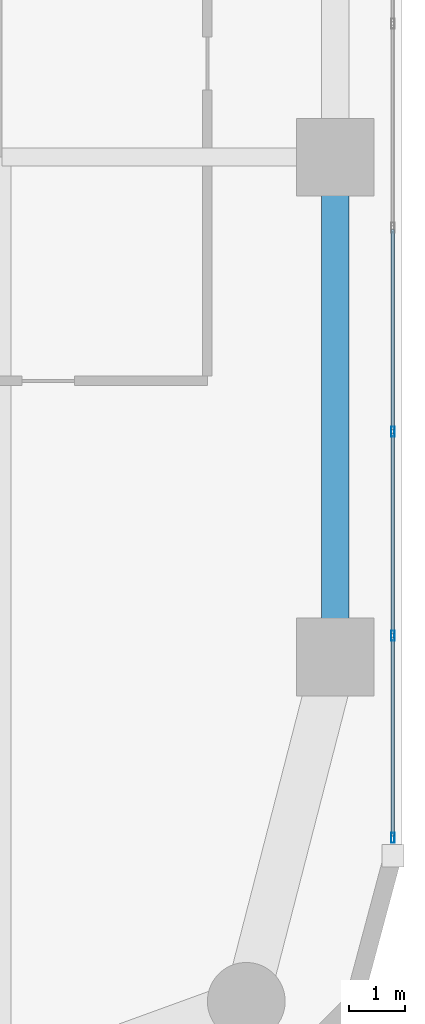
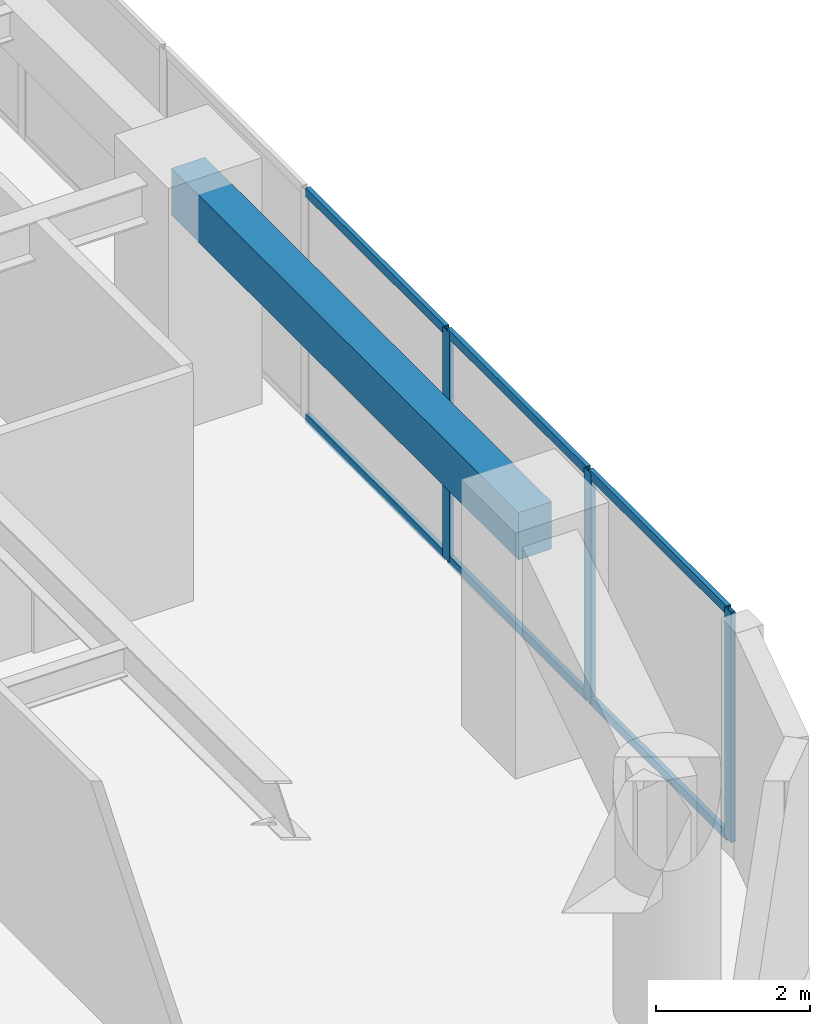
# One storey, part 4 of 24: 9 members, 1 beam, 1 element without a shape of its own.
"""IFC4 building model written with IfcOpenShell, lengths in metres."""

from ifc_helpers import new_model, si_unit, direction, frame, origin, origin_2d, place, context, subcontext, project, spatial, rectangle, hollow_rectangle, extrude, material, layer, layer_set, material_profile, profile_set, type_object, element, aggregate, save


model = new_model("IFC4")

# Units and contexts
model_context = context("Model", 3, precision=1e-05, world=origin(), true_north=direction((0.0, 1.0)))
body_context = subcontext(model_context, "Body", "Model", "MODEL_VIEW")
ifc_project = project(units=[si_unit("LENGTHUNIT", "METRE"), si_unit("AREAUNIT", "SQUARE_METRE"), si_unit("VOLUMEUNIT", "CUBIC_METRE"), si_unit("PLANEANGLEUNIT", "RADIAN"), si_unit("MASSUNIT", "GRAM", prefix="KILO")], contexts=[model_context])

# Site, building, storey
site_placement = place(None, origin())
site = spatial("IfcSite", under=ifc_project, at=site_placement, CompositionType="ELEMENT")
building_placement = place(site_placement, origin())
building = spatial("IfcBuilding", under=site, at=building_placement, Name="Kiyonajd Concourse Tower", CompositionType="ELEMENT")
storey_placement = place(building_placement, frame((0.0, 0.0, 113.10009765625)))
storey = spatial("IfcBuildingStorey", under=building, at=storey_placement, Name="L29", CompositionType="ELEMENT", Elevation=113.10009765625)

# Beam
ifc_material_1 = material(Name="Precast concrete C50/60", Category="concrete")
ifc_material_profile_1 = material_profile(ifc_material_1, rectangle(XDim=0.5, YDim=0.75, at=origin_2d()), Name="RCBM-500x750")
ifc_profile_set_1 = profile_set([ifc_material_profile_1], Name="Precast concrete C50/60")
beam_type = type_object("IfcBeamType", Name="BM-SPAN-RC", PredefinedType="SPANDREL", material=ifc_profile_set_1)
beam_placement = place(storey_placement, frame((69.60009765625, 18.60009765625, 3.264892578125), z_axis=(0.0, 1.0, 0.0), x_axis=(-1.0, 0.0, 0.0)))
element("IfcBeam", 1, at=beam_placement, inside=storey, type_object=beam_type, Name="L29 Perimeter Bundled Tube Spandrel", PredefinedType="SPANDREL", context=body_context, shape_type="SweptSolid", body=[
    extrude(rectangle(XDim=0.5, YDim=0.75, at=origin_2d()), origin(), (0.0, 0.0, 1.0), 9.0),
])

# Curtain wall, members
ifc_material_2 = material(Name="Thermally Broken Anodised Aluminium", Category="aluminium")
ifc_layer = layer(ifc_material_2, 0.179931640625)
ifc_layer_set = layer_set([ifc_layer], Name="Thermally Broken Anodised Aluminium")
curtain_wall_type = type_object("IfcCurtainWallType", Name="CW-SYS-03", PredefinedType="NOTDEFINED", material=ifc_layer_set)
curtain_wall_placement = place(storey_placement, origin())
curtain_wall = element("IfcCurtainWall", 2, at=curtain_wall_placement, inside=storey, type_object=curtain_wall_type, Name="L29 Unitised Curtain Wall CW3", PredefinedType="NOTDEFINED")
ifc_material_profile_2 = material_profile(ifc_material_2, hollow_rectangle(XDim=0.06494140625, YDim=0.179931640625, WallThickness=0.00390625, at=origin_2d()), Name="MULL-65x180")
ifc_profile_set_2 = profile_set([ifc_material_profile_2], Name="Thermally Broken Anodised Aluminium")
member_type_1 = type_object("IfcMemberType", Name="MB-CW-MULL1", PredefinedType="MULLION", material=ifc_profile_set_2)
member_1_placement = place(storey_placement, frame((70.639892578125, 22.657470703125, 0.0), z_axis=(0.0, 0.0, 1.0), x_axis=(1.0, 0.0, 0.0)))
member_1 = element("IfcMember", 3, at=member_1_placement, type_object=member_type_1, Name="CW3 mullion 5", PredefinedType="MULLION", context=body_context, shape_type="SweptSolid", body=[
    extrude(hollow_rectangle(XDim=0.06494140625, YDim=0.179931640625, WallThickness=0.00390625, at=origin_2d()), origin(), (0.0, 0.0, 1.0), 3.639892578125),
])
member_2_placement = place(storey_placement, frame((70.639892578125, 18.984130859375, 0.0), z_axis=(0.0, 0.0, 1.0), x_axis=(1.0, 0.0, 0.0)))
member_2 = element("IfcMember", 4, at=member_2_placement, type_object=member_type_1, Name="CW3 mullion 6", PredefinedType="MULLION", context=body_context, shape_type="SweptSolid", body=[
    extrude(hollow_rectangle(XDim=0.06494140625, YDim=0.179931640625, WallThickness=0.00390625, at=origin_2d()), origin(), (0.0, 0.0, 1.0), 3.639892578125),
])
member_3_placement = place(storey_placement, frame((70.639892578125, 15.343505859375, 0.0), z_axis=(0.0, 0.0, 1.0), x_axis=(1.0, 0.0, 0.0)))
member_3 = element("IfcMember", 5, at=member_3_placement, type_object=member_type_1, Name="CW3 mullion 7", PredefinedType="MULLION", context=body_context, shape_type="SweptSolid", body=[
    extrude(hollow_rectangle(XDim=0.06494140625, YDim=0.179931640625, WallThickness=0.00390625, at=origin_2d()), origin(), (0.0, 0.0, 1.0), 3.639892578125),
])
ifc_material_profile_3 = material_profile(ifc_material_2, hollow_rectangle(XDim=0.06494140625, YDim=0.139892578125, WallThickness=0.00390625, at=origin_2d()), Name="TRAN-65x140")
ifc_profile_set_3 = profile_set([ifc_material_profile_3], Name="Thermally Broken Anodised Aluminium")
member_type_2 = type_object("IfcMemberType", Name="MB-CW-TRAN1", PredefinedType="USERDEFINED", material=ifc_profile_set_3)
member_4_placement = place(storey_placement, frame((70.639892578125, 26.298095703125, 0.032470703125), z_axis=(0.0, -1.0, 0.0), x_axis=(1.0, 0.0, 0.0)))
member_4 = element("IfcMember", 6, at=member_4_placement, type_object=member_type_2, Name="CW3 transom 4.1", ObjectType="TRANSOM", PredefinedType="USERDEFINED", context=body_context, shape_type="SweptSolid", body=[
    extrude(hollow_rectangle(XDim=0.06494140625, YDim=0.139892578125, WallThickness=0.00390625, at=origin_2d()), origin(), (0.0, 0.0, 1.0), 3.608154296875),
])
member_5_placement = place(storey_placement, frame((70.639892578125, 26.298095703125, 3.607421875), z_axis=(0.0, -1.0, 0.0), x_axis=(1.0, 0.0, 0.0)))
member_5 = element("IfcMember", 7, at=member_5_placement, type_object=member_type_2, Name="CW3 transom 4.2", ObjectType="TRANSOM", PredefinedType="USERDEFINED", context=body_context, shape_type="SweptSolid", body=[
    extrude(hollow_rectangle(XDim=0.06494140625, YDim=0.139892578125, WallThickness=0.00390625, at=origin_2d()), origin(), (0.0, 0.0, 1.0), 3.608154296875),
])
member_6_placement = place(storey_placement, frame((70.639892578125, 22.625, 0.032470703125), z_axis=(0.0, -1.0, 0.0), x_axis=(1.0, 0.0, 0.0)))
member_6 = element("IfcMember", 8, at=member_6_placement, type_object=member_type_2, Name="CW3 transom 5.1", ObjectType="TRANSOM", PredefinedType="USERDEFINED", context=body_context, shape_type="SweptSolid", body=[
    extrude(hollow_rectangle(XDim=0.06494140625, YDim=0.139892578125, WallThickness=0.00390625, at=origin_2d()), origin(), (0.0, 0.0, 1.0), 3.608154296875),
])
member_7_placement = place(storey_placement, frame((70.639892578125, 22.625, 3.607421875), z_axis=(0.0, -1.0, 0.0), x_axis=(1.0, 0.0, 0.0)))
member_7 = element("IfcMember", 9, at=member_7_placement, type_object=member_type_2, Name="CW3 transom 5.2", ObjectType="TRANSOM", PredefinedType="USERDEFINED", context=body_context, shape_type="SweptSolid", body=[
    extrude(hollow_rectangle(XDim=0.06494140625, YDim=0.139892578125, WallThickness=0.00390625, at=origin_2d()), origin(), (0.0, 0.0, 1.0), 3.608154296875),
])
member_8_placement = place(storey_placement, frame((70.639892578125, 18.95166015625, 0.032470703125), z_axis=(0.0, -1.0, 0.0), x_axis=(1.0, 0.0, 0.0)))
member_8 = element("IfcMember", 10, at=member_8_placement, type_object=member_type_2, Name="CW3 transom 6.1", ObjectType="TRANSOM", PredefinedType="USERDEFINED", context=body_context, shape_type="SweptSolid", body=[
    extrude(hollow_rectangle(XDim=0.06494140625, YDim=0.139892578125, WallThickness=0.00390625, at=origin_2d()), origin(), (0.0, 0.0, 1.0), 3.575439453125),
])
member_9_placement = place(storey_placement, frame((70.639892578125, 18.95166015625, 3.607421875), z_axis=(0.0, -1.0, 0.0), x_axis=(1.0, 0.0, 0.0)))
member_9 = element("IfcMember", 11, at=member_9_placement, type_object=member_type_2, Name="CW3 transom 6.2", ObjectType="TRANSOM", PredefinedType="USERDEFINED", context=body_context, shape_type="SweptSolid", body=[
    extrude(hollow_rectangle(XDim=0.06494140625, YDim=0.139892578125, WallThickness=0.00390625, at=origin_2d()), origin(), (0.0, 0.0, 1.0), 3.575439453125),
])
aggregate(curtain_wall, [member_1, member_2, member_3, member_4, member_5, member_6, member_7, member_8, member_9])

save(model, "model.ifc")
